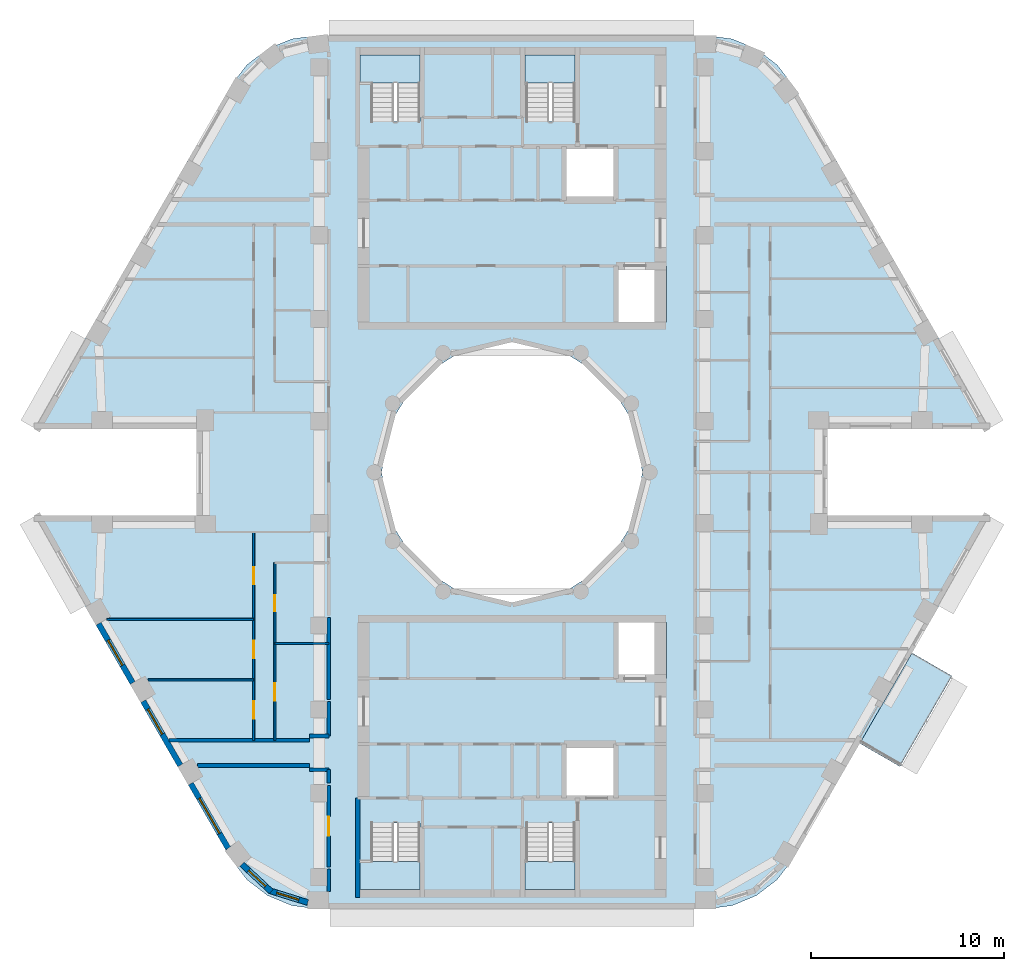
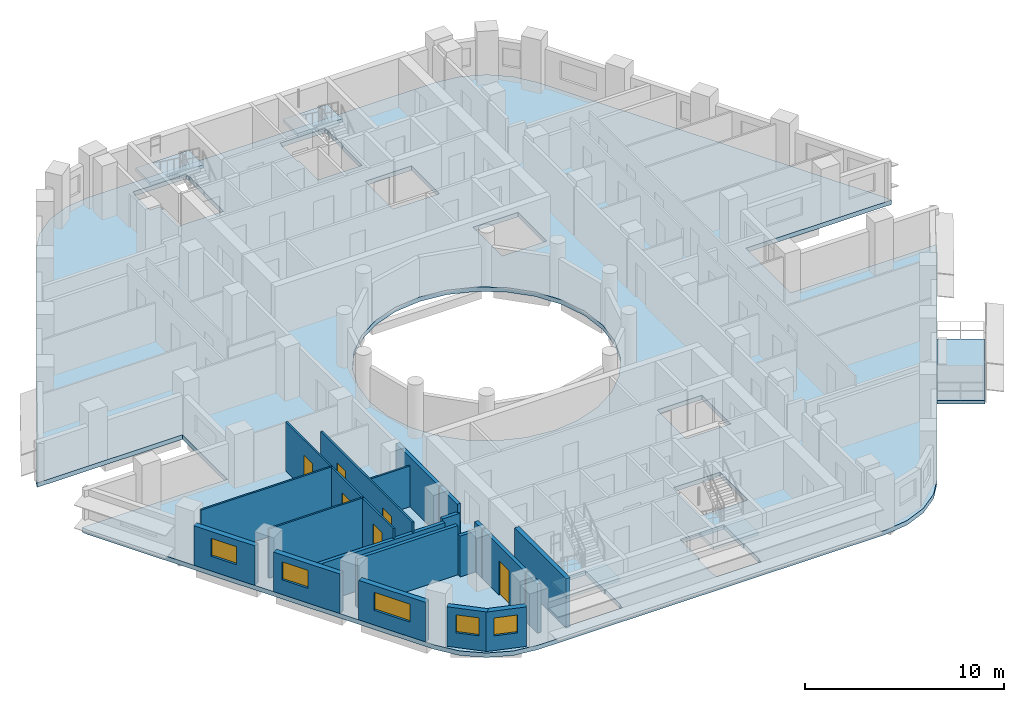
# One storey, part 2 of 12: 20 walls, 6 doors, 6 slabs, 5 windows, 11 openings, 4 elements without a shape of their own.
"""IFC4 building model written with IfcOpenShell, lengths in metres."""

from ifc_helpers import new_model, si_unit, direction, frame, frame_2d, origin, place, context, subcontext, project, spatial, polyline, rectangle, outline, extrude, material, layer, layer_set, type_object, element, fill, aggregate, save


model = new_model("IFC4")

# Units and contexts
model_context = context("Model", 3, precision=1e-05, world=origin(), true_north=direction((0.0, 1.0)))
body_context = subcontext(model_context, "Body", "Model", "MODEL_VIEW")
ifc_project = project(units=[si_unit("LENGTHUNIT", "METRE"), si_unit("AREAUNIT", "SQUARE_METRE"), si_unit("VOLUMEUNIT", "CUBIC_METRE"), si_unit("PLANEANGLEUNIT", "RADIAN"), si_unit("MASSUNIT", "GRAM", prefix="KILO")], contexts=[model_context])

# Site, building, storey
site_placement = place(None, origin())
site = spatial("IfcSite", under=ifc_project, at=site_placement, CompositionType="ELEMENT")
building_placement = place(site_placement, origin())
building = spatial("IfcBuilding", under=site, at=building_placement, Name="Nakaniwa Court", CompositionType="ELEMENT")
storey_placement = place(building_placement, frame((0.0, 0.0, 229.5)))
storey = spatial("IfcBuildingStorey", under=building, at=storey_placement, Name="L59", CompositionType="ELEMENT", Elevation=229.5)

# Slabs
ifc_material_1 = material(Name="Charcoal ceramic paver")
ifc_layer_1 = layer(ifc_material_1, 0.02, Name="Ceramic paver")
ifc_material_2 = material(Name="Cement sand screed")
ifc_layer_2 = layer(ifc_material_2, 0.03, Name="Falls screed")
ifc_material_3 = material(Name="Concrete C40/50", Category="concrete")
ifc_layer_3 = layer(ifc_material_3, 0.15, Name="Balcony slab")
ifc_layer_set_1 = layer_set([ifc_layer_1, ifc_layer_2, ifc_layer_3], Name="Concrete C40/50 balcony slab with ceramic paver finish")
slab_type_1 = type_object("IfcSlabType", Name="Balcony slab 200", PredefinedType="FLOOR", material=ifc_layer_set_1)
slab_1_placement = place(storey_placement, frame((0.0, 0.0, -0.25)))
element("IfcSlab", 1, at=slab_1_placement, inside=storey, type_object=slab_type_1, Name="L59 balcony 01", PredefinedType="FLOOR", context=body_context, shape_type="SweptSolid", body=[
    extrude(outline(polyline([(98.03662109375, 65.93994140625), (100.744140625, 70.629638671875), (102.822509765625, 69.4296875), (100.114990234375, 64.739990234375), (98.03662109375, 65.93994140625)])), origin(), (0.0, 0.0, 1.0), 0.199951171875),
])
ifc_material_4 = material(Name="Concrete C80/100", Category="concrete")
ifc_layer_4 = layer(ifc_material_4, 0.27490234375)
ifc_layer_set_2 = layer_set([ifc_layer_4], Name="Concrete C80/100")
slab_type_2 = type_object("IfcSlabType", Name="Concrete C80/100 post tensioned floor slab 275", PredefinedType="FLOOR", material=ifc_layer_set_2)
slab_2_placement = place(storey_placement, frame((0.0, 0.0, -0.27490234375)))
element("IfcSlab", 2, at=slab_2_placement, inside=storey, type_object=slab_type_2, Name="FLOOR SLAB", PredefinedType="FLOOR", context=body_context, shape_type="SweptSolid", body=[
    extrude(outline(polyline([(96.349609375, 82.25), (104.7978515625, 82.25), (104.65283203125, 82.60009765625), (94.578125, 100.050048828125), (93.751708984375, 101.126953125), (92.6748046875, 101.953369140625), (91.420654296875, 102.472900390625), (90.07470703125, 102.64990234375), (69.92529296875, 102.64990234375), (68.579345703125, 102.472900390625), (67.3251953125, 101.953369140625), (66.248291015625, 101.126953125), (65.421875, 100.050048828125), (55.34716796875, 82.60009765625), (55.2021484375, 82.25), (63.650390625, 82.25), (63.650390625, 77.75), (55.2021484375, 77.75), (55.34716796875, 77.39990234375), (65.421875, 59.949951171875), (66.248291015625, 58.873046875), (67.3251953125, 58.046630859375), (68.579345703125, 57.527099609375), (69.92529296875, 57.35009765625), (90.07470703125, 57.35009765625), (91.420654296875, 57.527099609375), (92.6748046875, 58.046630859375), (93.751708984375, 58.873046875), (94.578125, 59.949951171875), (104.65283203125, 77.39990234375), (104.7978515625, 77.75), (96.349609375, 77.75), (96.349609375, 82.25)]), holes=[polyline([(81.501953125, 86.580810546875), (80.0, 86.75), (78.498046875, 86.580810546875), (77.0712890625, 86.08154296875), (75.79150390625, 85.27734375), (74.72265625, 84.20849609375), (73.91845703125, 82.9287109375), (73.419189453125, 81.501953125), (73.25, 80.0), (73.419189453125, 78.498046875), (73.91845703125, 77.0712890625), (74.72265625, 75.79150390625), (75.79150390625, 74.72265625), (77.0712890625, 73.91845703125), (78.498046875, 73.419189453125), (80.0, 73.25), (81.501953125, 73.419189453125), (82.9287109375, 73.91845703125), (84.20849609375, 74.72265625), (85.27734375, 75.79150390625), (86.08154296875, 77.0712890625), (86.580810546875, 78.498046875), (86.75, 80.0), (86.580810546875, 81.501953125), (86.08154296875, 82.9287109375), (85.27734375, 84.20849609375), (84.20849609375, 85.27734375), (82.9287109375, 86.08154296875), (81.501953125, 86.580810546875)]), polyline([(72.675048828125, 61.81005859375), (72.675048828125, 59.864990234375), (72.0849609375, 59.864990234375), (72.0849609375, 58.31005859375), (72.125, 58.31005859375), (72.125, 58.074951171875), (75.22509765625, 58.074951171875), (75.22509765625, 58.31005859375), (75.264892578125, 58.31005859375), (75.264892578125, 59.864990234375), (75.22509765625, 59.864990234375), (75.22509765625, 61.81005859375), (72.675048828125, 61.81005859375)]), polyline([(83.27490234375, 61.81005859375), (80.72509765625, 61.81005859375), (80.72509765625, 59.864990234375), (80.635009765625, 59.864990234375), (80.635009765625, 58.31005859375), (80.675048828125, 58.31005859375), (80.675048828125, 58.074951171875), (83.27490234375, 58.074951171875), (83.27490234375, 58.31005859375), (83.31494140625, 58.31005859375), (83.31494140625, 59.864990234375), (83.27490234375, 59.864990234375), (83.27490234375, 61.81005859375)]), polyline([(75.264892578125, 101.68994140625), (75.22509765625, 101.68994140625), (75.22509765625, 101.925048828125), (72.125, 101.925048828125), (72.125, 101.68994140625), (72.0849609375, 101.68994140625), (72.0849609375, 100.135009765625), (72.675048828125, 100.135009765625), (72.675048828125, 98.18994140625), (75.22509765625, 98.18994140625), (75.22509765625, 100.135009765625), (75.264892578125, 100.135009765625), (75.264892578125, 101.68994140625)]), polyline([(83.31494140625, 100.135009765625), (83.31494140625, 101.68994140625), (83.27490234375, 101.68994140625), (83.27490234375, 101.925048828125), (80.675048828125, 101.925048828125), (80.675048828125, 101.68994140625), (80.635009765625, 101.68994140625), (80.635009765625, 100.135009765625), (80.72509765625, 100.135009765625), (80.72509765625, 98.18994140625), (83.27490234375, 98.18994140625), (83.27490234375, 100.135009765625), (83.31494140625, 100.135009765625)]), polyline([(85.39990234375, 65.89990234375), (82.699951171875, 65.89990234375), (82.699951171875, 63.10009765625), (85.39990234375, 63.10009765625), (85.39990234375, 65.89990234375)]), polyline([(88.0, 72.199951171875), (85.39990234375, 72.199951171875), (85.39990234375, 69.300048828125), (88.0, 69.300048828125), (88.0, 72.199951171875)]), polyline([(85.39990234375, 90.699951171875), (85.39990234375, 87.800048828125), (88.0, 87.800048828125), (88.0, 90.699951171875), (85.39990234375, 90.699951171875)]), polyline([(85.39990234375, 96.89990234375), (82.699951171875, 96.89990234375), (82.699951171875, 94.10009765625), (85.39990234375, 94.10009765625), (85.39990234375, 96.89990234375)])]), origin(), (0.0, 0.0, 1.0), 0.27490234375),
])

# Stair, slab
stair_type = type_object("IfcStairType", Name="Dog leg stair 1200 wide 18 risers", PredefinedType="HALF_TURN_STAIR", material=ifc_material_4)
stair_1_placement = place(storey_placement, origin())
stair_1 = element("IfcStair", 3, at=stair_1_placement, inside=storey, type_object=stair_type, Name="L59 Stair ST1", PredefinedType="HALF_TURN_STAIR")
ifc_layer_5 = layer(ifc_material_4, 0.199951171875)
ifc_layer_set_3 = layer_set([ifc_layer_5], Name="Concrete C80/100")
slab_type_3 = type_object("IfcSlabType", Name="Stair landing concrete", PredefinedType="LANDING", material=ifc_layer_set_3)
slab_3_placement = place(storey_placement, frame((0.0, 0.0, 1.449951171875)))
slab_3 = element("IfcSlab", 4, at=slab_3_placement, type_object=slab_type_3, Name="ST1 landing 1", PredefinedType="LANDING", context=body_context, shape_type="SweptSolid", body=[
    extrude(outline(polyline([(75.22509765625, 100.175048828125), (75.22509765625, 101.64990234375), (72.125, 101.64990234375), (72.125, 100.175048828125), (75.22509765625, 100.175048828125)])), origin(), (0.0, 0.0, 1.0), 0.199951171875),
])
aggregate(stair_1, [slab_3])

stair_2_placement = place(storey_placement, origin())
stair_2 = element("IfcStair", 5, at=stair_2_placement, inside=storey, type_object=stair_type, Name="L59 Stair ST2", PredefinedType="HALF_TURN_STAIR")
slab_4_placement = place(storey_placement, frame((0.0, 0.0, 1.449951171875)))
slab_4 = element("IfcSlab", 6, at=slab_4_placement, type_object=slab_type_3, Name="ST2 landing 1", PredefinedType="LANDING", context=body_context, shape_type="SweptSolid", body=[
    extrude(outline(polyline([(83.27490234375, 100.175048828125), (83.27490234375, 101.64990234375), (80.675048828125, 101.64990234375), (80.675048828125, 100.175048828125), (83.27490234375, 100.175048828125)])), origin(), (0.0, 0.0, 1.0), 0.199951171875),
])
aggregate(stair_2, [slab_4])

stair_3_placement = place(storey_placement, origin())
stair_3 = element("IfcStair", 7, at=stair_3_placement, inside=storey, type_object=stair_type, Name="L59 Stair ST3", PredefinedType="HALF_TURN_STAIR")
slab_5_placement = place(storey_placement, frame((0.0, 0.0, 1.449951171875)))
slab_5 = element("IfcSlab", 8, at=slab_5_placement, type_object=slab_type_3, Name="ST3 landing 1", PredefinedType="LANDING", context=body_context, shape_type="SweptSolid", body=[
    extrude(outline(polyline([(75.22509765625, 58.35009765625), (75.22509765625, 59.824951171875), (72.125, 59.824951171875), (72.125, 58.35009765625), (75.22509765625, 58.35009765625)])), origin(), (0.0, 0.0, 1.0), 0.199951171875),
])
aggregate(stair_3, [slab_5])

stair_4_placement = place(storey_placement, origin())
stair_4 = element("IfcStair", 9, at=stair_4_placement, inside=storey, type_object=stair_type, Name="L59 Stair ST4", PredefinedType="HALF_TURN_STAIR")
slab_6_placement = place(storey_placement, frame((0.0, 0.0, 1.449951171875)))
slab_6 = element("IfcSlab", 10, at=slab_6_placement, type_object=slab_type_3, Name="ST4 landing 1", PredefinedType="LANDING", context=body_context, shape_type="SweptSolid", body=[
    extrude(outline(polyline([(83.27490234375, 58.35009765625), (83.27490234375, 59.824951171875), (80.675048828125, 59.824951171875), (80.675048828125, 58.35009765625), (83.27490234375, 58.35009765625)])), origin(), (0.0, 0.0, 1.0), 0.199951171875),
])
aggregate(stair_4, [slab_6])

# Walls
ifc_material_5 = material(Name="Acoustic double stud partition")
ifc_layer_6 = layer(ifc_material_5, 0.199951171875)
ifc_layer_set_4 = layer_set([ifc_layer_6], Name="Acoustic double stud partition")
wall_type_1 = type_object("IfcWallType", Name="Acoustic double stud partition 200", PredefinedType="PARTITIONING", material=ifc_layer_set_4)
wall_1_placement = place(storey_placement, frame((63.68115234375, 64.800048828125, 0.0), z_axis=(0.0, 0.0, 1.0), x_axis=(1.0, 0.0, 0.0)))
element("IfcWall", 11, at=wall_1_placement, inside=storey, type_object=wall_type_1, Name="Partition PW-073", PredefinedType="PARTITIONING", context=body_context, shape_type="SweptSolid", body=[
    extrude(rectangle(XDim=5.81884765625, YDim=0.199951171875, at=frame_2d((2.909423828125, 0.0))), origin(), (0.0, 0.0, 1.0), 3.02490234375),
])
for number, where, z_axis, x_axis, name in (
    (12, (69.5, 64.574951171875, 0.0), (0.0, 0.0, 1.0), (1.0, 0.0, 0.0), "Partition PW-075"),
    (13, (69.5, 66.324951171875, 0.0), (0.0, 0.0, 1.0), (1.0, 0.0, 0.0), "Partition PW-077"),
):
    element("IfcWall", number, at=place(storey_placement, frame(where, z_axis=z_axis, x_axis=x_axis)), inside=storey, type_object=wall_type_1, Name=name, PredefinedType="PARTITIONING", context=body_context, shape_type="SweptSolid", body=[
        extrude(rectangle(XDim=1.0, YDim=0.199951171875, at=frame_2d((0.5, 0.0))), origin(), (0.0, 0.0, 1.0), 2.5048828125),
    ])
wall_2_placement = place(storey_placement, frame((62.217529296875, 66.10009765625, 0.0), z_axis=(0.0, 0.0, 1.0), x_axis=(1.0, 0.0, 0.0)))
element("IfcWall", 14, at=wall_2_placement, inside=storey, type_object=wall_type_1, Name="Partition PW-079", PredefinedType="PARTITIONING", context=body_context, shape_type="SweptSolid", body=[
    extrude(rectangle(XDim=7.282470703125, YDim=0.199951171875, at=frame_2d((3.64111328125, 0.0))), origin(), (0.0, 0.0, 1.0), 2.405029296875),
])
wall_3_placement = place(storey_placement, frame((70.5, 58.26708984375, 0.0), z_axis=(0.0, 0.0, 1.0), x_axis=(0.0, 1.0, 0.0)))
element("IfcWall", 15, at=wall_3_placement, inside=storey, type_object=wall_type_1, Name="Partition PW-081", PredefinedType="PARTITIONING", context=body_context, shape_type="SweptSolid", body=[
    extrude(rectangle(XDim=1.14599609375, YDim=0.199951171875, at=frame_2d((0.572998046875, 0.0))), origin(), (0.0, 0.0, 1.0), 3.02490234375),
])

# Wall, opening, door
wall_4_placement = place(storey_placement, frame((70.5, 59.527099609375, 0.0), z_axis=(0.0, 0.0, 1.0), x_axis=(0.0, 1.0, 0.0)))
wall_4 = element("IfcWall", 16, at=wall_4_placement, inside=storey, type_object=wall_type_1, Name="Partition PW-082", PredefinedType="PARTITIONING", context=body_context, shape_type="SweptSolid", body=[
    extrude(rectangle(XDim=4.23583984375, YDim=0.199951171875, at=frame_2d((2.117919921875, 0.0))), origin(), (0.0, 0.0, 1.0), 3.02490234375),
])
opening_1_placement = place(wall_4_placement, frame((1.617919921875, 0.0, 0.0)))
opening_1 = element("IfcOpeningElement", 17, at=opening_1_placement, cuts=wall_4, Name="Opening D-02-03", PredefinedType="OPENING", context=body_context, shape_type="SweptSolid", body=[
    extrude(rectangle(XDim=1.0, YDim=2.10009765625, at=frame_2d((0.5, 1.050048828125))), frame((0.0, 0.10986328125, 0.0), z_axis=(0.0, -1.0, 0.0), x_axis=(1.0, 0.0, 0.0)), (0.0, 0.0, 1.0), 0.219970703125),
])
ifc_material_6 = material(Name="Solid core timber door set, black veneer", Category="wood")
door_type_1 = type_object("IfcDoorType", Name="Internal door 1000", OperationType="NOTDEFINED", PredefinedType="DOOR", material=ifc_material_6)
door_1_placement = place(opening_1_placement, origin())
door_1 = element("IfcDoor", 18, at=door_1_placement, inside=storey, type_object=door_type_1, Name="Door D-02-03 L59-047", OperationType="SINGLE_SWING_RIGHT", OverallHeight=2.10009765625, OverallWidth=1.0, PredefinedType="DOOR", context=body_context, shape_type="SweptSolid", body=[
    extrude(rectangle(XDim=1.0, YDim=2.10009765625, at=frame_2d((0.5, 1.050048828125))), frame((0.0, 0.02490234375, 0.0), z_axis=(0.0, -1.0, 0.0), x_axis=(1.0, 0.0, 0.0)), (0.0, 0.0, 1.0), 0.050048828125),
])
fill(opening_1, door_1)

# Walls
wall_5_placement = place(storey_placement, frame((70.5, 63.876953125, 0.0), z_axis=(0.0, 0.0, 1.0), x_axis=(0.0, 1.0, 0.0)))
element("IfcWall", 19, at=wall_5_placement, inside=storey, type_object=wall_type_1, Name="Partition PW-083", PredefinedType="PARTITIONING", context=body_context, shape_type="SweptSolid", body=[
    extrude(rectangle(XDim=0.700927734375, YDim=0.199951171875, at=frame_2d((0.3505859375, 0.0))), origin(), (0.0, 0.0, 1.0), 3.02490234375),
])
wall_6_placement = place(storey_placement, frame((70.5, 66.322021484375, 0.0), z_axis=(0.0, 0.0, 1.0), x_axis=(0.0, 1.0, 0.0)))
element("IfcWall", 20, at=wall_6_placement, inside=storey, type_object=wall_type_1, Name="Partition PW-084", PredefinedType="PARTITIONING", context=body_context, shape_type="SweptSolid", body=[
    extrude(rectangle(XDim=1.791015625, YDim=0.199951171875, at=frame_2d((0.8955078125, 0.0))), origin(), (0.0, 0.0, 1.0), 3.02490234375),
])
wall_7_placement = place(storey_placement, frame((70.5, 68.22705078125, 0.0), z_axis=(0.0, 0.0, 1.0), x_axis=(0.0, 1.0, 0.0)))
element("IfcWall", 21, at=wall_7_placement, inside=storey, type_object=wall_type_1, Name="Partition PW-085", PredefinedType="PARTITIONING", context=body_context, shape_type="SweptSolid", body=[
    extrude(rectangle(XDim=4.23583984375, YDim=0.199951171875, at=frame_2d((2.117919921875, 0.0))), origin(), (0.0, 0.0, 1.0), 3.02490234375),
])

# Wall, opening, window
ifc_material_7 = material(Name="Charcoal ceramic cladding")
ifc_layer_7 = layer(ifc_material_7, 0.02, Name="Ceramic cladding")
ifc_material_8 = material(Name="Ventilated air cavity")
ifc_layer_8 = layer(ifc_material_8, 0.04, ventilated=True, Name="Ventilated cavity")
ifc_material_9 = material(Name="Mineral wool insulation")
ifc_layer_9 = layer(ifc_material_9, 0.1, Name="Insulation")
ifc_material_10 = material(Name="Cement bonded sheathing board")
ifc_layer_10 = layer(ifc_material_10, 0.012, Name="Sheathing")
ifc_material_11 = material(Name="Cold-formed galvanised stud frame with mineral wool infill")
ifc_layer_11 = layer(ifc_material_11, 0.1, Name="Stud frame")
ifc_material_12 = material(Name="Fire-rated gypsum plasterboard lining")
ifc_layer_12 = layer(ifc_material_12, 0.028, Name="Lining")
ifc_layer_set_5 = layer_set([ifc_layer_7, ifc_layer_8, ifc_layer_9, ifc_layer_10, ifc_layer_11, ifc_layer_12], Name="Charcoal ceramic faced external wall system")
wall_type_2 = type_object("IfcWallType", Name="Black ceramic faced external wall 300", PredefinedType="SOLIDWALL", material=ifc_layer_set_5)
wall_8_placement = place(storey_placement, frame((58.55419921875, 72.14501953125, 0.0), z_axis=(0.0, 0.0, 1.0), x_axis=(0.500010404316, -0.866019396766, 0.0)))
wall_8 = element("IfcWall", 22, at=wall_8_placement, inside=storey, type_object=wall_type_2, Name="L59 external wall 21", PredefinedType="SOLIDWALL", context=body_context, shape_type="SweptSolid", body=[
    extrude(rectangle(XDim=3.54736328125, YDim=0.300048828125, at=frame_2d((1.773681640625, 0.0))), origin(), (0.0, 0.0, 1.0), 2.425048828125),
])
opening_2_placement = place(wall_8_placement, frame((0.990966796875, 0.0, 0.89990234375)))
opening_2 = element("IfcOpeningElement", 23, at=opening_2_placement, cuts=wall_8, Name="Opening W5.20", PredefinedType="OPENING", context=body_context, shape_type="SweptSolid", body=[
    extrude(rectangle(XDim=1.5, YDim=1.10009765625, at=frame_2d((0.75, 0.550048828125))), frame((0.0, 0.159912109375, 0.0), z_axis=(0.0, -1.0, 0.0), x_axis=(1.0, 0.0, 0.0)), (0.0, 0.0, 1.0), 0.320068359375),
])
ifc_material_13 = material(Name="Black anodised aluminium frame with dark low-E laminated double glazing", Category="aluminium")
window_type_1 = type_object("IfcWindowType", Name="Dark glass window 1500x1100 sill 900", PartitioningType="SINGLE_PANEL", PredefinedType="WINDOW", material=ifc_material_13)
window_1_placement = place(opening_2_placement, origin())
window_1 = element("IfcWindow", 24, at=window_1_placement, inside=storey, type_object=window_type_1, Name="L59 bedroom window 21-0", OverallHeight=1.10009765625, OverallWidth=1.5, PartitioningType="SINGLE_PANEL", PredefinedType="WINDOW", context=body_context, shape_type="SweptSolid", body=[
    extrude(rectangle(XDim=1.5, YDim=1.10009765625, at=frame_2d((0.75, 0.550048828125))), frame((0.0, 0.030029296875, 0.0), z_axis=(0.0, -1.0, 0.0), x_axis=(1.0, 0.0, 0.0)), (0.0, 0.0, 1.0), 0.06005859375),
])
fill(opening_2, window_1)

wall_9_placement = place(storey_placement, frame((60.873779296875, 68.12744140625, 0.0), z_axis=(0.0, 0.0, 1.0), x_axis=(0.499984490703, -0.866034357896, 0.0)))
wall_9 = element("IfcWall", 25, at=wall_9_placement, inside=storey, type_object=wall_type_2, Name="L59 external wall 22", PredefinedType="SOLIDWALL", context=body_context, shape_type="SweptSolid", body=[
    extrude(rectangle(XDim=3.84423828125, YDim=0.300048828125, at=frame_2d((1.922119140625, 0.0))), origin(), (0.0, 0.0, 1.0), 2.425048828125),
])
opening_3_placement = place(wall_9_placement, frame((0.481689453125, 0.0, 0.89990234375)))
opening_3 = element("IfcOpeningElement", 26, at=opening_3_placement, cuts=wall_9, Name="Opening W5.21", PredefinedType="OPENING", context=body_context, shape_type="SweptSolid", body=[
    extrude(rectangle(XDim=1.5, YDim=1.10009765625, at=frame_2d((0.75, 0.550048828125))), frame((0.0, 0.159912109375, 0.0), z_axis=(0.0, -1.0, 0.0), x_axis=(1.0, 0.0, 0.0)), (0.0, 0.0, 1.0), 0.320068359375),
])
window_2_placement = place(opening_3_placement, origin())
window_2 = element("IfcWindow", 27, at=window_2_placement, inside=storey, type_object=window_type_1, Name="L59 bedroom window 22-0", OverallHeight=1.10009765625, OverallWidth=1.5, PartitioningType="SINGLE_PANEL", PredefinedType="WINDOW", context=body_context, shape_type="SweptSolid", body=[
    extrude(rectangle(XDim=1.5, YDim=1.10009765625, at=frame_2d((0.75, 0.550048828125))), frame((0.0, 0.030029296875, 0.0), z_axis=(0.0, -1.0, 0.0), x_axis=(1.0, 0.0, 0.0)), (0.0, 0.0, 1.0), 0.06005859375),
])
fill(opening_3, window_2)

wall_10_placement = place(storey_placement, frame((63.342041015625, 63.8525390625, 0.0), z_axis=(0.0, 0.0, 1.0), x_axis=(0.500011218404, -0.866018926739, 0.0)))
wall_10 = element("IfcWall", 28, at=wall_10_placement, inside=storey, type_object=wall_type_2, Name="L59 external wall 23", PredefinedType="SOLIDWALL", context=body_context, shape_type="SweptSolid", body=[
    extrude(rectangle(XDim=3.87890625, YDim=0.300048828125, at=frame_2d((1.939453125, 0.0))), origin(), (0.0, 0.0, 1.0), 2.425048828125),
])
opening_4_placement = place(wall_10_placement, frame((0.878173828125, 0.0, 0.89990234375)))
opening_4 = element("IfcOpeningElement", 29, at=opening_4_placement, cuts=wall_10, Name="Opening W7.22", PredefinedType="OPENING", context=body_context, shape_type="SweptSolid", body=[
    extrude(rectangle(XDim=2.10009765625, YDim=1.10009765625, at=frame_2d((1.050048828125, 0.550048828125))), frame((0.0, 0.159912109375, 0.0), z_axis=(0.0, -1.0, 0.0), x_axis=(1.0, 0.0, 0.0)), (0.0, 0.0, 1.0), 0.320068359375),
])
window_type_2 = type_object("IfcWindowType", Name="Dark glass window 2100x1100 sill 900", PartitioningType="SINGLE_PANEL", PredefinedType="WINDOW", material=ifc_material_13)
window_3_placement = place(opening_4_placement, origin())
window_3 = element("IfcWindow", 30, at=window_3_placement, inside=storey, type_object=window_type_2, Name="L59 habitable room window 23-0", OverallHeight=1.10009765625, OverallWidth=2.10009765625, PartitioningType="SINGLE_PANEL", PredefinedType="WINDOW", context=body_context, shape_type="SweptSolid", body=[
    extrude(rectangle(XDim=2.10009765625, YDim=1.10009765625, at=frame_2d((1.050048828125, 0.550048828125))), frame((0.0, 0.030029296875, 0.0), z_axis=(0.0, -1.0, 0.0), x_axis=(1.0, 0.0, 0.0)), (0.0, 0.0, 1.0), 0.06005859375),
])
fill(opening_4, window_3)

wall_11_placement = place(storey_placement, frame((65.99609375, 59.665283203125, 0.0), z_axis=(0.0, 0.0, 1.0), x_axis=(0.731942518471, -0.6813663843, 0.0)))
wall_11 = element("IfcWall", 31, at=wall_11_placement, inside=storey, type_object=wall_type_2, Name="L59 external wall 24", PredefinedType="SOLIDWALL", context=body_context, shape_type="SweptSolid", body=[
    extrude(rectangle(XDim=2.07568359375, YDim=0.300048828125, at=frame_2d((1.037841796875, 0.0))), origin(), (0.0, 0.0, 1.0), 2.425048828125),
])
opening_5_placement = place(wall_11_placement, frame((0.464111328125, 0.0, 0.89990234375)))
opening_5 = element("IfcOpeningElement", 32, at=opening_5_placement, cuts=wall_11, Name="Opening W6.23", PredefinedType="OPENING", context=body_context, shape_type="SweptSolid", body=[
    extrude(rectangle(XDim=1.199951171875, YDim=1.10009765625, at=frame_2d((0.60009765625, 0.550048828125))), frame((0.0, 0.159912109375, 0.0), z_axis=(0.0, -1.0, 0.0), x_axis=(1.0, 0.0, 0.0)), (0.0, 0.0, 1.0), 0.320068359375),
])
window_type_3 = type_object("IfcWindowType", Name="Dark glass window 1200x1100 sill 900", PartitioningType="SINGLE_PANEL", PredefinedType="WINDOW", material=ifc_material_13)
window_4_placement = place(opening_5_placement, origin())
window_4 = element("IfcWindow", 33, at=window_4_placement, inside=storey, type_object=window_type_3, Name="L59 habitable room window 24-0", OverallHeight=1.10009765625, OverallWidth=1.199951171875, PartitioningType="SINGLE_PANEL", PredefinedType="WINDOW", context=body_context, shape_type="SweptSolid", body=[
    extrude(rectangle(XDim=1.199951171875, YDim=1.10009765625, at=frame_2d((0.60009765625, 0.550048828125))), frame((0.0, 0.030029296875, 0.0), z_axis=(0.0, -1.0, 0.0), x_axis=(1.0, 0.0, 0.0)), (0.0, 0.0, 1.0), 0.06005859375),
])
fill(opening_5, window_4)

wall_12_placement = place(storey_placement, frame((67.406494140625, 58.3076171875, 0.0), z_axis=(0.0, 0.0, 1.0), x_axis=(0.954761314907, -0.297373219301, 0.0)))
wall_12 = element("IfcWall", 34, at=wall_12_placement, inside=storey, type_object=wall_type_2, Name="L59 external wall 25", PredefinedType="SOLIDWALL", context=body_context, shape_type="SweptSolid", body=[
    extrude(rectangle(XDim=2.096923828125, YDim=0.300048828125, at=frame_2d((1.04833984375, 0.0))), origin(), (0.0, 0.0, 1.0), 2.425048828125),
])
opening_6_placement = place(wall_12_placement, frame((0.409423828125, 0.0, 0.89990234375)))
opening_6 = element("IfcOpeningElement", 35, at=opening_6_placement, cuts=wall_12, Name="Opening W6.24", PredefinedType="OPENING", context=body_context, shape_type="SweptSolid", body=[
    extrude(rectangle(XDim=1.199951171875, YDim=1.10009765625, at=frame_2d((0.60009765625, 0.550048828125))), frame((0.0, 0.159912109375, 0.0), z_axis=(0.0, -1.0, 0.0), x_axis=(1.0, 0.0, 0.0)), (0.0, 0.0, 1.0), 0.320068359375),
])
window_5_placement = place(opening_6_placement, origin())
window_5 = element("IfcWindow", 36, at=window_5_placement, inside=storey, type_object=window_type_3, Name="L59 habitable room window 25-0", OverallHeight=1.10009765625, OverallWidth=1.199951171875, PartitioningType="SINGLE_PANEL", PredefinedType="WINDOW", context=body_context, shape_type="SweptSolid", body=[
    extrude(rectangle(XDim=1.199951171875, YDim=1.10009765625, at=frame_2d((0.60009765625, 0.550048828125))), frame((0.0, 0.030029296875, 0.0), z_axis=(0.0, -1.0, 0.0), x_axis=(1.0, 0.0, 0.0)), (0.0, 0.0, 1.0), 0.06005859375),
])
fill(opening_6, window_5)

# Walls
ifc_layer_13 = layer(ifc_material_4, 0.25)
ifc_layer_set_6 = layer_set([ifc_layer_13], Name="Concrete C80/100")
wall_type_3 = type_object("IfcWallType", Name="Concrete core wall 250 C80", PredefinedType="SHEAR", material=ifc_layer_set_6)
wall_13_placement = place(storey_placement, frame((72.0, 57.949951171875, -0.27490234375), z_axis=(0.0, 0.0, 1.0), x_axis=(0.0, 1.0, 0.0)))
element("IfcWall", 37, at=wall_13_placement, inside=storey, type_object=wall_type_3, Name="Core wall SW-51", PredefinedType="SHEAR", context=body_context, shape_type="SweptSolid", body=[
    extrude(rectangle(XDim=5.150146484375, YDim=0.25, at=frame_2d((2.5751953125, 0.0))), origin(), (0.0, 0.0, 1.0), 3.2998046875),
])
ifc_material_14 = material(Name="Single stud plasterboard partition")
ifc_layer_14 = layer(ifc_material_14, 0.10009765625)
ifc_layer_set_7 = layer_set([ifc_layer_14], Name="Single stud plasterboard partition")
wall_type_4 = type_object("IfcWallType", Name="Single stud plasterboard partition 100", PredefinedType="PARTITIONING", material=ifc_layer_set_7)
wall_14_placement = place(storey_placement, frame((67.699951171875, 71.117919921875, 0.0), z_axis=(0.0, 0.0, 1.0), x_axis=(1.0, 0.0, 0.0)))
element("IfcWall", 38, at=wall_14_placement, inside=storey, type_object=wall_type_4, Name="Partition PW-106", PredefinedType="PARTITIONING", context=body_context, shape_type="SweptSolid", body=[
    extrude(rectangle(XDim=2.800048828125, YDim=0.10009765625, at=frame_2d((1.39990234375, 0.0))), origin(), (0.0, 0.0, 1.0), 2.5048828125),
])

# Wall, openings, doors
wall_15_placement = place(storey_placement, frame((67.699951171875, 75.300048828125, 0.0), z_axis=(0.0, 0.0, 1.0), x_axis=(0.0, -1.0, 0.0)))
wall_15 = element("IfcWall", 39, at=wall_15_placement, inside=storey, type_object=wall_type_4, Name="Partition PW-107", PredefinedType="PARTITIONING", context=body_context, shape_type="SweptSolid", body=[
    extrude(rectangle(XDim=9.199951171875, YDim=0.10009765625, at=frame_2d((4.60009765625, 0.0))), origin(), (0.0, 0.0, 1.0), 3.02490234375),
])
opening_7_placement = place(wall_15_placement, frame((6.240966796875, 0.0, 0.0)))
opening_7 = element("IfcOpeningElement", 40, at=opening_7_placement, cuts=wall_15, Name="Opening D-33-11", PredefinedType="OPENING", context=body_context, shape_type="SweptSolid", body=[
    extrude(rectangle(XDim=0.89990234375, YDim=2.10009765625, at=frame_2d((0.449951171875, 1.050048828125))), frame((0.0, 0.06005859375, 0.0), z_axis=(0.0, -1.0, 0.0), x_axis=(1.0, 0.0, 0.0)), (0.0, 0.0, 1.0), 0.1201171875),
])
opening_8_placement = place(wall_15_placement, frame((1.666015625, 0.0, 0.0)))
opening_8 = element("IfcOpeningElement", 41, at=opening_8_placement, cuts=wall_15, Name="Opening D-03-05", PredefinedType="OPENING", context=body_context, shape_type="SweptSolid", body=[
    extrude(rectangle(XDim=0.85009765625, YDim=2.10009765625, at=frame_2d((0.425048828125, 1.050048828125))), frame((0.0, 0.06005859375, 0.0), z_axis=(0.0, -1.0, 0.0), x_axis=(1.0, 0.0, 0.0)), (0.0, 0.0, 1.0), 0.1201171875),
])
ifc_material_15 = material(Name="Moisture sealed timber door set", Category="wood")
door_type_2 = type_object("IfcDoorType", Name="Bathroom door 850", OperationType="NOTDEFINED", PredefinedType="DOOR", material=ifc_material_15)
door_2_placement = place(opening_8_placement, origin())
door_2 = element("IfcDoor", 42, at=door_2_placement, inside=storey, type_object=door_type_2, Name="Door D-03-05 L59-050", OperationType="SINGLE_SWING_LEFT", OverallHeight=2.10009765625, OverallWidth=0.85009765625, PredefinedType="DOOR", context=body_context, shape_type="SweptSolid", body=[
    extrude(rectangle(XDim=0.85009765625, YDim=2.10009765625, at=frame_2d((0.425048828125, 1.050048828125))), frame((0.0, 0.02490234375, 0.0), z_axis=(0.0, -1.0, 0.0), x_axis=(1.0, 0.0, 0.0)), (0.0, 0.0, 1.0), 0.050048828125),
])
fill(opening_8, door_2)
door_type_3 = type_object("IfcDoorType", Name="Internal door 900", OperationType="NOTDEFINED", PredefinedType="DOOR", material=ifc_material_6)
door_3_placement = place(opening_7_placement, origin())
door_3 = element("IfcDoor", 43, at=door_3_placement, inside=storey, type_object=door_type_3, Name="Door D-33-11 L59-049", OperationType="SINGLE_SWING_RIGHT", OverallHeight=2.10009765625, OverallWidth=0.89990234375, PredefinedType="DOOR", context=body_context, shape_type="SweptSolid", body=[
    extrude(rectangle(XDim=0.89990234375, YDim=2.10009765625, at=frame_2d((0.449951171875, 1.050048828125))), frame((0.0, 0.02490234375, 0.0), z_axis=(0.0, -1.0, 0.0), x_axis=(1.0, 0.0, 0.0)), (0.0, 0.0, 1.0), 0.050048828125),
])
fill(opening_7, door_3)

wall_16_placement = place(storey_placement, frame((66.60009765625, 66.10009765625, 0.0), z_axis=(0.0, 0.0, 1.0), x_axis=(0.0, 1.0, 0.0)))
wall_16 = element("IfcWall", 44, at=wall_16_placement, inside=storey, type_object=wall_type_4, Name="Partition PW-110", PredefinedType="PARTITIONING", context=body_context, shape_type="SweptSolid", body=[
    extrude(rectangle(XDim=10.7998046875, YDim=0.10009765625, at=frame_2d((5.39990234375, 0.0))), origin(), (0.0, 0.0, 1.0), 3.02490234375),
])
opening_9_placement = place(wall_16_placement, frame((1.117919921875, 0.0, 0.0)))
opening_9 = element("IfcOpeningElement", 45, at=opening_9_placement, cuts=wall_16, Name="Opening D-33-12", PredefinedType="OPENING", context=body_context, shape_type="SweptSolid", body=[
    extrude(rectangle(XDim=0.89990234375, YDim=2.10009765625, at=frame_2d((0.449951171875, 1.050048828125))), frame((0.0, 0.06005859375, 0.0), z_axis=(0.0, -1.0, 0.0), x_axis=(1.0, 0.0, 0.0)), (0.0, 0.0, 1.0), 0.1201171875),
])
opening_10_placement = place(wall_16_placement, frame((4.2529296875, 0.0, 0.0)))
opening_10 = element("IfcOpeningElement", 46, at=opening_10_placement, cuts=wall_16, Name="Opening D-33-13", PredefinedType="OPENING", context=body_context, shape_type="SweptSolid", body=[
    extrude(rectangle(XDim=0.89990234375, YDim=2.10009765625, at=frame_2d((0.449951171875, 1.050048828125))), frame((0.0, 0.06005859375, 0.0), z_axis=(0.0, -1.0, 0.0), x_axis=(1.0, 0.0, 0.0)), (0.0, 0.0, 1.0), 0.1201171875),
])
opening_11_placement = place(wall_16_placement, frame((8.0859375, 0.0, 0.0)))
opening_11 = element("IfcOpeningElement", 47, at=opening_11_placement, cuts=wall_16, Name="Opening D-33-14", PredefinedType="OPENING", context=body_context, shape_type="SweptSolid", body=[
    extrude(rectangle(XDim=0.89990234375, YDim=2.10009765625, at=frame_2d((0.449951171875, 1.050048828125))), frame((0.0, 0.06005859375, 0.0), z_axis=(0.0, -1.0, 0.0), x_axis=(1.0, 0.0, 0.0)), (0.0, 0.0, 1.0), 0.1201171875),
])
door_4_placement = place(opening_9_placement, origin())
door_4 = element("IfcDoor", 48, at=door_4_placement, inside=storey, type_object=door_type_3, Name="Door D-33-12 L59-051", OperationType="SINGLE_SWING_RIGHT", OverallHeight=2.10009765625, OverallWidth=0.89990234375, PredefinedType="DOOR", context=body_context, shape_type="SweptSolid", body=[
    extrude(rectangle(XDim=0.89990234375, YDim=2.10009765625, at=frame_2d((0.449951171875, 1.050048828125))), frame((0.0, 0.02490234375, 0.0), z_axis=(0.0, -1.0, 0.0), x_axis=(1.0, 0.0, 0.0)), (0.0, 0.0, 1.0), 0.050048828125),
])
fill(opening_9, door_4)
door_5_placement = place(opening_10_placement, origin())
door_5 = element("IfcDoor", 49, at=door_5_placement, inside=storey, type_object=door_type_3, Name="Door D-33-13 L59-052", OperationType="SINGLE_SWING_LEFT", OverallHeight=2.10009765625, OverallWidth=0.89990234375, PredefinedType="DOOR", context=body_context, shape_type="SweptSolid", body=[
    extrude(rectangle(XDim=0.89990234375, YDim=2.10009765625, at=frame_2d((0.449951171875, 1.050048828125))), frame((0.0, 0.02490234375, 0.0), z_axis=(0.0, -1.0, 0.0), x_axis=(1.0, 0.0, 0.0)), (0.0, 0.0, 1.0), 0.050048828125),
])
fill(opening_10, door_5)
door_6_placement = place(opening_11_placement, origin())
door_6 = element("IfcDoor", 50, at=door_6_placement, inside=storey, type_object=door_type_3, Name="Door D-33-14 L59-053", OperationType="SINGLE_SWING_RIGHT", OverallHeight=2.10009765625, OverallWidth=0.89990234375, PredefinedType="DOOR", context=body_context, shape_type="SweptSolid", body=[
    extrude(rectangle(XDim=0.89990234375, YDim=2.10009765625, at=frame_2d((0.449951171875, 1.050048828125))), frame((0.0, 0.02490234375, 0.0), z_axis=(0.0, -1.0, 0.0), x_axis=(1.0, 0.0, 0.0)), (0.0, 0.0, 1.0), 0.050048828125),
])
fill(opening_11, door_6)

# Walls
wall_17_placement = place(storey_placement, frame((61.123291015625, 69.236083984375, 0.0), z_axis=(0.0, 0.0, 1.0), x_axis=(1.0, 0.0, 0.0)))
element("IfcWall", 51, at=wall_17_placement, inside=storey, type_object=wall_type_4, Name="Partition PW-113", PredefinedType="PARTITIONING", context=body_context, shape_type="SweptSolid", body=[
    extrude(rectangle(XDim=5.476806640625, YDim=0.10009765625, at=frame_2d((2.73828125, 0.0))), origin(), (0.0, 0.0, 1.0), 3.02490234375),
])
wall_18_placement = place(storey_placement, frame((58.993896484375, 72.37109375, 0.0), z_axis=(0.0, 0.0, 1.0), x_axis=(1.0, 0.0, 0.0)))
element("IfcWall", 52, at=wall_18_placement, inside=storey, type_object=wall_type_4, Name="Partition PW-114", PredefinedType="PARTITIONING", context=body_context, shape_type="SweptSolid", body=[
    extrude(rectangle(XDim=7.606201171875, YDim=0.10009765625, at=frame_2d((3.80322265625, 0.0))), origin(), (0.0, 0.0, 1.0), 3.02490234375),
])

save(model, "model.ifc")
